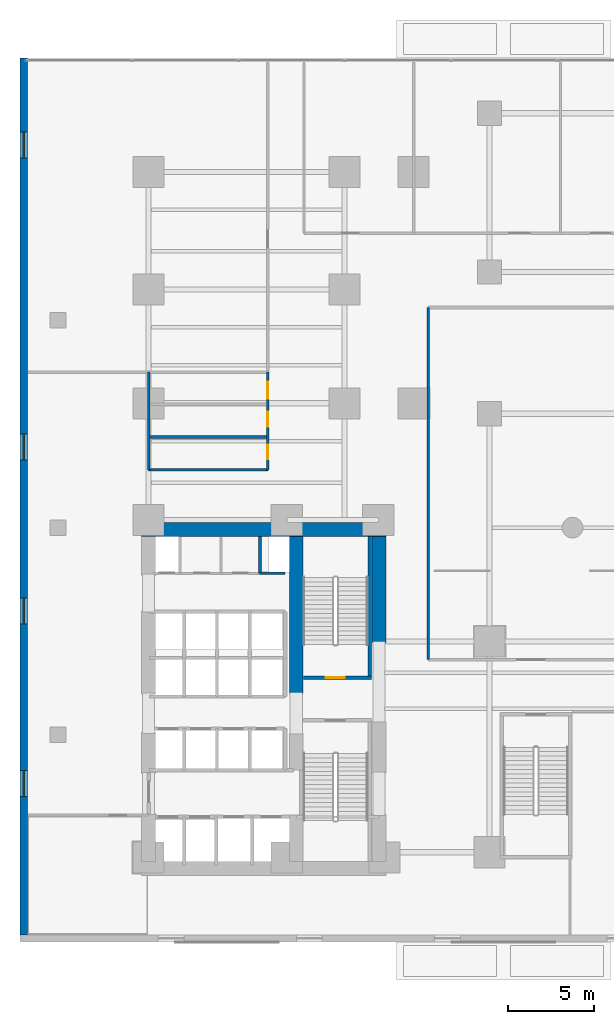
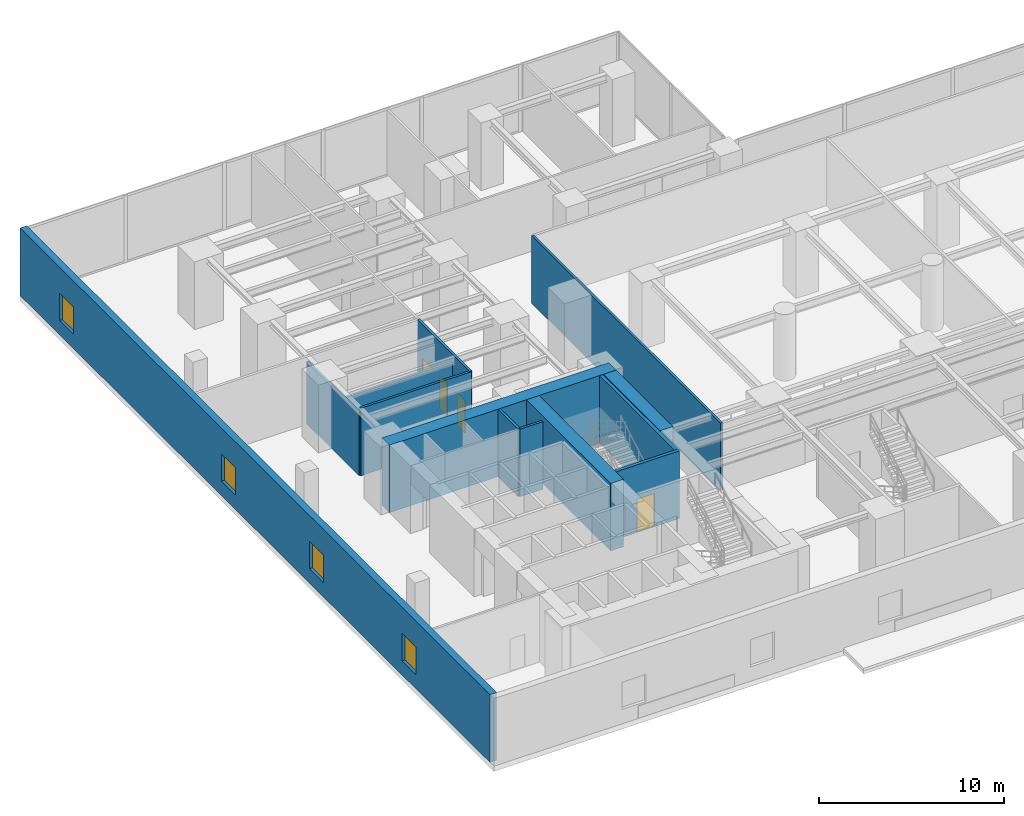
# One storey, part 13 of 17: 13 walls, 4 doors, 4 windows, 8 openings.
"""IFC4 building model written with IfcOpenShell, lengths in metres."""

from ifc_helpers import new_model, si_unit, direction, frame, frame_2d, origin, place, context, subcontext, project, spatial, rectangle, extrude, material, layer, layer_set, type_object, element, fill, save


model = new_model("IFC4")

# Units and contexts
model_context = context("Model", 3, precision=1e-05, world=origin(), true_north=direction((0.0, 1.0)))
body_context = subcontext(model_context, "Body", "Model", "MODEL_VIEW")
ifc_project = project(units=[si_unit("LENGTHUNIT", "METRE"), si_unit("AREAUNIT", "SQUARE_METRE"), si_unit("VOLUMEUNIT", "CUBIC_METRE"), si_unit("PLANEANGLEUNIT", "RADIAN"), si_unit("MASSUNIT", "GRAM", prefix="KILO")], contexts=[model_context])

# Site, building, storey
site_placement = place(None, origin())
site = spatial("IfcSite", under=ifc_project, at=site_placement, CompositionType="ELEMENT")
building_placement = place(site_placement, origin())
building = spatial("IfcBuilding", under=site, at=building_placement, Name="Kolvaren Waterfront Exchange", CompositionType="ELEMENT")
storey_placement = place(building_placement, frame((0.0, 0.0, 5.60009765625)))
storey = spatial("IfcBuildingStorey", under=building, at=storey_placement, Name="L02", CompositionType="ELEMENT", Elevation=5.60009765625)

# Wall, openings, windows
ifc_material_1 = material(Name="Precast concrete C40/50", Category="concrete")
ifc_layer_1 = layer(ifc_material_1, 0.419921875, Name="Precast concrete C40/50")
ifc_layer_set_1 = layer_set([ifc_layer_1], Name="Precast concrete C40/50")
wall_type_1 = type_object("IfcWallType", Name="ARC-EXT-GRANITE-420", PredefinedType="SOLIDWALL", material=ifc_layer_set_1)
wall_1_placement = place(storey_placement, frame((0.2099609375, 0.419921875, 0.0), z_axis=(0.0, 0.0, 1.0), x_axis=(0.0, 1.0, 0.0)))
wall_1 = element("IfcWall", 1, at=wall_1_placement, inside=storey, type_object=wall_type_1, Name="L02 west granite precast facade wall", PredefinedType="SOLIDWALL", context=body_context, shape_type="SweptSolid", body=[
    extrude(rectangle(XDim=50.780029296875, YDim=0.419921875, at=frame_2d((25.39013671875, 0.0))), origin(), (0.0, 0.0, 1.0), 4.4599609375),
])
opening_1_placement = place(wall_1_placement, frame((8.0, 0.0, 0.949951171875)))
opening_1 = element("IfcOpeningElement", 2, at=opening_1_placement, cuts=wall_1, Name="Opening W02", PredefinedType="OPENING", context=body_context, shape_type="SweptSolid", body=[
    extrude(rectangle(XDim=1.5, YDim=1.800048828125, at=frame_2d((0.75, 0.89990234375))), frame((0.0, 0.219970703125, 0.0), z_axis=(0.0, -1.0, 0.0), x_axis=(1.0, 0.0, 0.0)), (0.0, 0.0, 1.0), 0.43994140625),
])
opening_2_placement = place(wall_1_placement, frame((18.0, 0.0, 0.949951171875)))
opening_2 = element("IfcOpeningElement", 3, at=opening_2_placement, cuts=wall_1, Name="Opening W02", PredefinedType="OPENING", context=body_context, shape_type="SweptSolid", body=[
    extrude(rectangle(XDim=1.5, YDim=1.800048828125, at=frame_2d((0.75, 0.89990234375))), frame((0.0, 0.219970703125, 0.0), z_axis=(0.0, -1.0, 0.0), x_axis=(1.0, 0.0, 0.0)), (0.0, 0.0, 1.0), 0.43994140625),
])
opening_3_placement = place(wall_1_placement, frame((27.5, 0.0, 0.949951171875)))
opening_3 = element("IfcOpeningElement", 4, at=opening_3_placement, cuts=wall_1, Name="Opening W02", PredefinedType="OPENING", context=body_context, shape_type="SweptSolid", body=[
    extrude(rectangle(XDim=1.5, YDim=1.800048828125, at=frame_2d((0.75, 0.89990234375))), frame((0.0, 0.219970703125, 0.0), z_axis=(0.0, -1.0, 0.0), x_axis=(1.0, 0.0, 0.0)), (0.0, 0.0, 1.0), 0.43994140625),
])
opening_4_placement = place(wall_1_placement, frame((45.0, 0.0, 0.949951171875)))
opening_4 = element("IfcOpeningElement", 5, at=opening_4_placement, cuts=wall_1, Name="Opening W02", PredefinedType="OPENING", context=body_context, shape_type="SweptSolid", body=[
    extrude(rectangle(XDim=1.5, YDim=1.800048828125, at=frame_2d((0.75, 0.89990234375))), frame((0.0, 0.219970703125, 0.0), z_axis=(0.0, -1.0, 0.0), x_axis=(1.0, 0.0, 0.0)), (0.0, 0.0, 1.0), 0.43994140625),
])
ifc_material_2 = material(Name="Bronze solar control vision glass", Category="aluminium")
window_type = type_object("IfcWindowType", Name="ARC-WIN-1500x1800", PartitioningType="SINGLE_PANEL", PredefinedType="WINDOW", material=ifc_material_2)
window_1_placement = place(opening_1_placement, origin())
window_1 = element("IfcWindow", 6, at=window_1_placement, inside=storey, type_object=window_type, Name="L02 west modular window 1", OverallHeight=1.800048828125, OverallWidth=1.5, PartitioningType="SINGLE_PANEL", PredefinedType="WINDOW", context=body_context, shape_type="SweptSolid", body=[
    extrude(rectangle(XDim=1.5, YDim=1.800048828125, at=frame_2d((0.75, 0.89990234375))), frame((0.0, 0.030029296875, 0.0), z_axis=(0.0, -1.0, 0.0), x_axis=(1.0, 0.0, 0.0)), (0.0, 0.0, 1.0), 0.06005859375),
])
fill(opening_1, window_1)
window_2_placement = place(opening_2_placement, origin())
window_2 = element("IfcWindow", 7, at=window_2_placement, inside=storey, type_object=window_type, Name="L02 west modular window 2", OverallHeight=1.800048828125, OverallWidth=1.5, PartitioningType="SINGLE_PANEL", PredefinedType="WINDOW", context=body_context, shape_type="SweptSolid", body=[
    extrude(rectangle(XDim=1.5, YDim=1.800048828125, at=frame_2d((0.75, 0.89990234375))), frame((0.0, 0.030029296875, 0.0), z_axis=(0.0, -1.0, 0.0), x_axis=(1.0, 0.0, 0.0)), (0.0, 0.0, 1.0), 0.06005859375),
])
fill(opening_2, window_2)
window_3_placement = place(opening_3_placement, origin())
window_3 = element("IfcWindow", 8, at=window_3_placement, inside=storey, type_object=window_type, Name="L02 west modular window 3", OverallHeight=1.800048828125, OverallWidth=1.5, PartitioningType="SINGLE_PANEL", PredefinedType="WINDOW", context=body_context, shape_type="SweptSolid", body=[
    extrude(rectangle(XDim=1.5, YDim=1.800048828125, at=frame_2d((0.75, 0.89990234375))), frame((0.0, 0.030029296875, 0.0), z_axis=(0.0, -1.0, 0.0), x_axis=(1.0, 0.0, 0.0)), (0.0, 0.0, 1.0), 0.06005859375),
])
fill(opening_3, window_3)
window_4_placement = place(opening_4_placement, origin())
window_4 = element("IfcWindow", 9, at=window_4_placement, inside=storey, type_object=window_type, Name="L02 west modular window 4", OverallHeight=1.800048828125, OverallWidth=1.5, PartitioningType="SINGLE_PANEL", PredefinedType="WINDOW", context=body_context, shape_type="SweptSolid", body=[
    extrude(rectangle(XDim=1.5, YDim=1.800048828125, at=frame_2d((0.75, 0.89990234375))), frame((0.0, 0.030029296875, 0.0), z_axis=(0.0, -1.0, 0.0), x_axis=(1.0, 0.0, 0.0)), (0.0, 0.0, 1.0), 0.06005859375),
])
fill(opening_4, window_4)

# Wall, opening, door
ifc_layer_2 = layer(ifc_material_1, 0.199951171875, Name="Precast concrete C40/50")
ifc_layer_set_2 = layer_set([ifc_layer_2], Name="Precast concrete C40/50")
wall_type_2 = type_object("IfcWallType", Name="ARC-FIRE-200", PredefinedType="PARTITIONING", material=ifc_layer_set_2)
wall_2_placement = place(storey_placement, frame((16.409912109375, 15.300048828125, 0.0), z_axis=(0.0, 0.0, 1.0), x_axis=(1.0, 0.0, 0.0)))
wall_2 = element("IfcWall", 10, at=wall_2_placement, inside=storey, type_object=wall_type_2, Name="L02 interior wall PW-L02-ST2-THROAT-N", PredefinedType="PARTITIONING", context=body_context, shape_type="SweptSolid", body=[
    extrude(rectangle(XDim=3.9501953125, YDim=0.199951171875, at=frame_2d((1.97509765625, 0.0))), origin(), (0.0, 0.0, 1.0), 4.4599609375),
])
opening_5_placement = place(wall_2_placement, frame((1.293701171875, 0.0, 0.0)))
opening_5 = element("IfcOpeningElement", 11, at=opening_5_placement, cuts=wall_2, Name="Opening FD2", PredefinedType="OPENING", context=body_context, shape_type="SweptSolid", body=[
    extrude(rectangle(XDim=1.10009765625, YDim=2.199951171875, at=frame_2d((0.550048828125, 1.10009765625))), frame((0.0, 0.10986328125, 0.0), z_axis=(0.0, -1.0, 0.0), x_axis=(1.0, 0.0, 0.0)), (0.0, 0.0, 1.0), 0.219970703125),
])
ifc_material_3 = material(Name="Pressed steel smoke-seal fire door", Category="steel")
door_type_1 = type_object("IfcDoorType", Name="ARC-FD-1100", OperationType="NOTDEFINED", PredefinedType="DOOR", material=ifc_material_3)
door_1_placement = place(opening_5_placement, origin())
door_1 = element("IfcDoor", 12, at=door_1_placement, inside=storey, type_object=door_type_1, Name="L02 door DR-L02-ST2-IN (FD2)", OperationType="SINGLE_SWING_RIGHT", OverallHeight=2.199951171875, OverallWidth=1.10009765625, PredefinedType="DOOR", context=body_context, shape_type="SweptSolid", body=[
    extrude(rectangle(XDim=1.10009765625, YDim=2.199951171875, at=frame_2d((0.550048828125, 1.10009765625))), frame((0.0, 0.02490234375, 0.0), z_axis=(0.0, -1.0, 0.0), x_axis=(1.0, 0.0, 0.0)), (0.0, 0.0, 1.0), 0.050048828125),
])
fill(opening_5, door_1)

# Walls
ifc_material_4 = material(Name="Gypsum fireboard steel stud", Category="steel")
ifc_layer_3 = layer(ifc_material_4, 0.14990234375, Name="Gypsum fireboard steel stud")
ifc_layer_set_3 = layer_set([ifc_layer_3], Name="Gypsum fireboard steel stud")
wall_type_3 = type_object("IfcWallType", Name="ARC-PART-150", PredefinedType="PARTITIONING", material=ifc_layer_set_3)
wall_3_placement = place(storey_placement, frame((13.89990234375, 21.35009765625, 0.0), z_axis=(0.0, 0.0, 1.0), x_axis=(0.0, 1.0, 0.0)))
element("IfcWall", 13, at=wall_3_placement, inside=storey, type_object=wall_type_3, Name="L02 interior wall PW-L02-SVC-R2", PredefinedType="PARTITIONING", context=body_context, shape_type="SweptSolid", body=[
    extrude(rectangle(XDim=2.1298828125, YDim=0.14990234375, at=frame_2d((1.06494140625, 0.0))), origin(), (0.0, 0.0, 1.0), 4.4599609375),
])
wall_4_placement = place(storey_placement, frame((13.89990234375, 21.35009765625, 0.0), z_axis=(0.0, 0.0, 1.0), x_axis=(1.0, 0.0, 0.0)))
element("IfcWall", 14, at=wall_4_placement, inside=storey, type_object=wall_type_3, Name="L02 interior wall PW-L02-SVC-RP-S", PredefinedType="PARTITIONING", context=body_context, shape_type="SweptSolid", body=[
    extrude(rectangle(XDim=1.4501953125, YDim=0.14990234375, at=frame_2d((0.72509765625, 0.0))), origin(), (0.0, 0.0, 1.0), 4.4599609375),
])
wall_5_placement = place(storey_placement, frame((23.64990234375, 16.35009765625, 0.0), z_axis=(0.0, 0.0, 1.0), x_axis=(0.0, 1.0, 0.0)))
element("IfcWall", 15, at=wall_5_placement, inside=storey, type_object=wall_type_3, Name="L02 interior wall PW-L02-POD-HALL-W", PredefinedType="PARTITIONING", context=body_context, shape_type="SweptSolid", body=[
    extrude(rectangle(XDim=20.39990234375, YDim=0.14990234375, at=frame_2d((10.199951171875, 0.0))), origin(), (0.0, 0.0, 1.0), 4.4599609375),
])
ifc_material_5 = material(Name="Moisture-resistant gypsum stud")
ifc_layer_4 = layer(ifc_material_5, 0.14990234375, Name="Moisture-resistant gypsum stud")
ifc_layer_set_4 = layer_set([ifc_layer_4], Name="Moisture-resistant gypsum stud")
wall_type_4 = type_object("IfcWallType", Name="ARC-PLUMB-150", PredefinedType="PLUMBINGWALL", material=ifc_layer_set_4)
wall_6_placement = place(storey_placement, frame((7.449951171875, 27.35009765625, 0.0), z_axis=(0.0, 0.0, 1.0), x_axis=(1.0, 0.0, 0.0)))
element("IfcWall", 16, at=wall_6_placement, inside=storey, type_object=wall_type_4, Name="L02 interior wall PW-L02-WC-S0", PredefinedType="PLUMBINGWALL", context=body_context, shape_type="SweptSolid", body=[
    extrude(rectangle(XDim=6.900146484375, YDim=0.14990234375, at=frame_2d((3.4501953125, 0.0))), origin(), (0.0, 0.0, 1.0), 4.4599609375),
])
wall_7_placement = place(storey_placement, frame((7.449951171875, 27.35009765625, 0.0), z_axis=(0.0, 0.0, 1.0), x_axis=(0.0, 1.0, 0.0)))
element("IfcWall", 17, at=wall_7_placement, inside=storey, type_object=wall_type_4, Name="L02 interior wall PW-L02-WC-W0", PredefinedType="PLUMBINGWALL", context=body_context, shape_type="SweptSolid", body=[
    extrude(rectangle(XDim=5.64990234375, YDim=0.14990234375, at=frame_2d((2.824951171875, 0.0))), origin(), (0.0, 0.0, 1.0), 4.099853515625),
])

# Wall, openings, doors
wall_8_placement = place(storey_placement, frame((14.35009765625, 27.35009765625, 0.0), z_axis=(0.0, 0.0, 1.0), x_axis=(0.0, 1.0, 0.0)))
wall_8 = element("IfcWall", 18, at=wall_8_placement, inside=storey, type_object=wall_type_4, Name="L02 interior wall PW-L02-WC-E", PredefinedType="PLUMBINGWALL", context=body_context, shape_type="SweptSolid", body=[
    extrude(rectangle(XDim=5.64990234375, YDim=0.14990234375, at=frame_2d((2.824951171875, 0.0))), origin(), (0.0, 0.0, 1.0), 4.4599609375),
])
opening_6_placement = place(wall_8_placement, frame((0.60009765625, 0.0, 0.0)))
opening_6 = element("IfcOpeningElement", 19, at=opening_6_placement, cuts=wall_8, Name="Opening D01", PredefinedType="OPENING", context=body_context, shape_type="SweptSolid", body=[
    extrude(rectangle(XDim=0.85009765625, YDim=2.14990234375, at=frame_2d((0.425048828125, 1.074951171875))), frame((0.0, 0.0849609375, 0.0), z_axis=(0.0, -1.0, 0.0), x_axis=(1.0, 0.0, 0.0)), (0.0, 0.0, 1.0), 0.169921875),
])
opening_7_placement = place(wall_8_placement, frame((2.5, 0.0, 0.0)))
opening_7 = element("IfcOpeningElement", 20, at=opening_7_placement, cuts=wall_8, Name="Opening D01", PredefinedType="OPENING", context=body_context, shape_type="SweptSolid", body=[
    extrude(rectangle(XDim=0.85009765625, YDim=2.14990234375, at=frame_2d((0.425048828125, 1.074951171875))), frame((0.0, 0.0849609375, 0.0), z_axis=(0.0, -1.0, 0.0), x_axis=(1.0, 0.0, 0.0)), (0.0, 0.0, 1.0), 0.169921875),
])
opening_8_placement = place(wall_8_placement, frame((4.10009765625, 0.0, 0.0)))
opening_8 = element("IfcOpeningElement", 21, at=opening_8_placement, cuts=wall_8, Name="Opening D03", PredefinedType="OPENING", context=body_context, shape_type="SweptSolid", body=[
    extrude(rectangle(XDim=1.0, YDim=2.199951171875, at=frame_2d((0.5, 1.10009765625))), frame((0.0, 0.0849609375, 0.0), z_axis=(0.0, -1.0, 0.0), x_axis=(1.0, 0.0, 0.0)), (0.0, 0.0, 1.0), 0.169921875),
])
ifc_material_6 = material(Name="Oak veneer accessible timber", Category="wood")
door_type_2 = type_object("IfcDoorType", Name="ARC-DR-1000", OperationType="NOTDEFINED", PredefinedType="DOOR", material=ifc_material_6)
door_2_placement = place(opening_8_placement, origin())
door_2 = element("IfcDoor", 22, at=door_2_placement, inside=storey, type_object=door_type_2, Name="L02 door DR-L02-WCA-D (D03)", OperationType="SINGLE_SWING_RIGHT", OverallHeight=2.199951171875, OverallWidth=1.0, PredefinedType="DOOR", context=body_context, shape_type="SweptSolid", body=[
    extrude(rectangle(XDim=1.0, YDim=2.199951171875, at=frame_2d((0.5, 1.10009765625))), frame((0.0, 0.02490234375, 0.0), z_axis=(0.0, -1.0, 0.0), x_axis=(1.0, 0.0, 0.0)), (0.0, 0.0, 1.0), 0.050048828125),
])
fill(opening_8, door_2)
ifc_material_7 = material(Name="Oak veneer timber leaf", Category="wood")
door_type_3 = type_object("IfcDoorType", Name="ARC-DR-900", OperationType="NOTDEFINED", PredefinedType="DOOR", material=ifc_material_7)
door_3_placement = place(opening_6_placement, origin())
door_3 = element("IfcDoor", 23, at=door_3_placement, inside=storey, type_object=door_type_3, Name="L02 door DR-L02-WCM-D (D01)", OperationType="SINGLE_SWING_RIGHT", OverallHeight=2.14990234375, OverallWidth=0.85009765625, PredefinedType="DOOR", context=body_context, shape_type="SweptSolid", body=[
    extrude(rectangle(XDim=0.85009765625, YDim=2.14990234375, at=frame_2d((0.425048828125, 1.074951171875))), frame((0.0, 0.02490234375, 0.0), z_axis=(0.0, -1.0, 0.0), x_axis=(1.0, 0.0, 0.0)), (0.0, 0.0, 1.0), 0.050048828125),
])
fill(opening_6, door_3)
door_4_placement = place(opening_7_placement, origin())
door_4 = element("IfcDoor", 24, at=door_4_placement, inside=storey, type_object=door_type_3, Name="L02 door DR-L02-WCF-D (D01)", OperationType="SINGLE_SWING_LEFT", OverallHeight=2.14990234375, OverallWidth=0.85009765625, PredefinedType="DOOR", context=body_context, shape_type="SweptSolid", body=[
    extrude(rectangle(XDim=0.85009765625, YDim=2.14990234375, at=frame_2d((0.425048828125, 1.074951171875))), frame((0.0, 0.02490234375, 0.0), z_axis=(0.0, -1.0, 0.0), x_axis=(1.0, 0.0, 0.0)), (0.0, 0.0, 1.0), 0.050048828125),
])
fill(opening_7, door_4)

# Walls
wall_9_placement = place(storey_placement, frame((7.449951171875, 29.25, 0.0), z_axis=(0.0, 0.0, 1.0), x_axis=(1.0, 0.0, 0.0)))
element("IfcWall", 25, at=wall_9_placement, inside=storey, type_object=wall_type_4, Name="L02 interior wall PW-L02-WC-N1", PredefinedType="PLUMBINGWALL", context=body_context, shape_type="SweptSolid", body=[
    extrude(rectangle(XDim=6.900146484375, YDim=0.14990234375, at=frame_2d((3.4501953125, 0.0))), origin(), (0.0, 0.0, 1.0), 3.9599609375),
])
ifc_material_8 = material(Name="Concrete C40/50", Category="concrete")
ifc_layer_5 = layer(ifc_material_8, 0.199951171875, Name="Concrete C40/50")
ifc_layer_set_5 = layer_set([ifc_layer_5], Name="Concrete C40/50")
wall_type_5 = type_object("IfcWallType", Name="ARC-SHAFT-200", PredefinedType="PARTITIONING", material=ifc_layer_set_5)
wall_10_placement = place(storey_placement, frame((20.260009765625, 15.39990234375, 0.0), z_axis=(0.0, 0.0, 1.0), x_axis=(0.0, 1.0, 0.0)))
element("IfcWall", 26, at=wall_10_placement, inside=storey, type_object=wall_type_5, Name="L02 structural stairwell wall PW-L02-ST2-E", PredefinedType="SHEAR", context=body_context, shape_type="SweptSolid", body=[
    extrude(rectangle(XDim=8.090087890625, YDim=0.199951171875, at=frame_2d((4.044921875, 0.0))), origin(), (0.0, 0.0, 1.0), 4.4599609375),
])
ifc_material_9 = material(Name="Concrete C70/85", Category="concrete")
ifc_layer_6 = layer(ifc_material_9, 0.800048828125, Name="Concrete C70/85")
ifc_layer_set_6 = layer_set([ifc_layer_6], Name="Concrete C70/85")
wall_type_6 = type_object("IfcWallType", Name="STR-CWALL-800", PredefinedType="SHEAR", material=ifc_layer_set_6)
wall_11_placement = place(storey_placement, frame((7.050048828125, 23.89990234375, 0.0), z_axis=(0.0, 0.0, 1.0), x_axis=(1.0, 0.0, 0.0)))
element("IfcWall", 27, at=wall_11_placement, inside=storey, type_object=wall_type_6, Name="L02 rear-core shear wall N", PredefinedType="SHEAR", context=body_context, shape_type="SweptSolid", body=[
    extrude(rectangle(XDim=14.14990234375, YDim=0.800048828125, at=frame_2d((7.074951171875, 0.0))), origin(), (0.0, 0.0, 1.0), 4.4599609375),
])
wall_12_placement = place(storey_placement, frame((20.800048828125, 17.35009765625, 0.0), z_axis=(0.0, 0.0, 1.0), x_axis=(0.0, 1.0, 0.0)))
element("IfcWall", 28, at=wall_12_placement, inside=storey, type_object=wall_type_6, Name="L02 rear-core shear wall E3", PredefinedType="SHEAR", context=body_context, shape_type="SweptSolid", body=[
    extrude(rectangle(XDim=6.14990234375, YDim=0.800048828125, at=frame_2d((3.074951171875, 0.0))), origin(), (0.0, 0.0, 1.0), 4.4599609375),
])
wall_13_placement = place(storey_placement, frame((16.0, 14.39990234375, 0.0), z_axis=(0.0, 0.0, 1.0), x_axis=(0.0, 1.0, 0.0)))
element("IfcWall", 29, at=wall_13_placement, inside=storey, type_object=wall_type_6, Name="L02 rear-core shear wall M3", PredefinedType="SHEAR", context=body_context, shape_type="SweptSolid", body=[
    extrude(rectangle(XDim=9.10009765625, YDim=0.800048828125, at=frame_2d((4.550048828125, 0.0))), origin(), (0.0, 0.0, 1.0), 4.4599609375),
])

save(model, "model.ifc")
